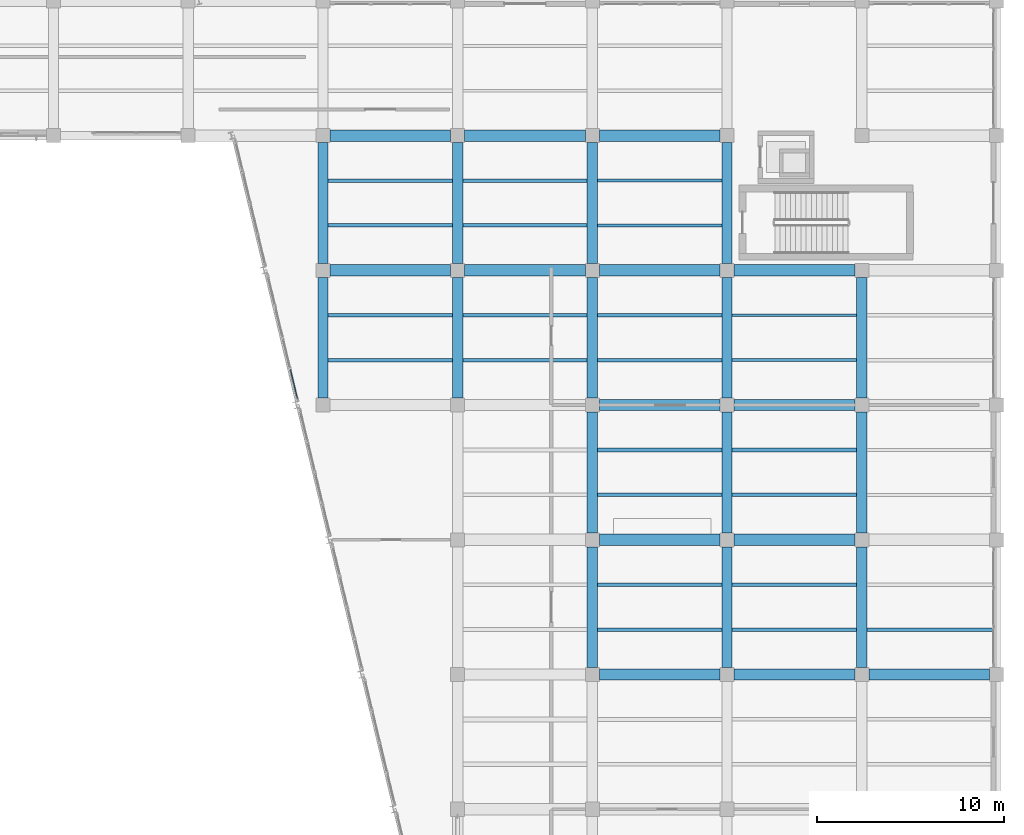
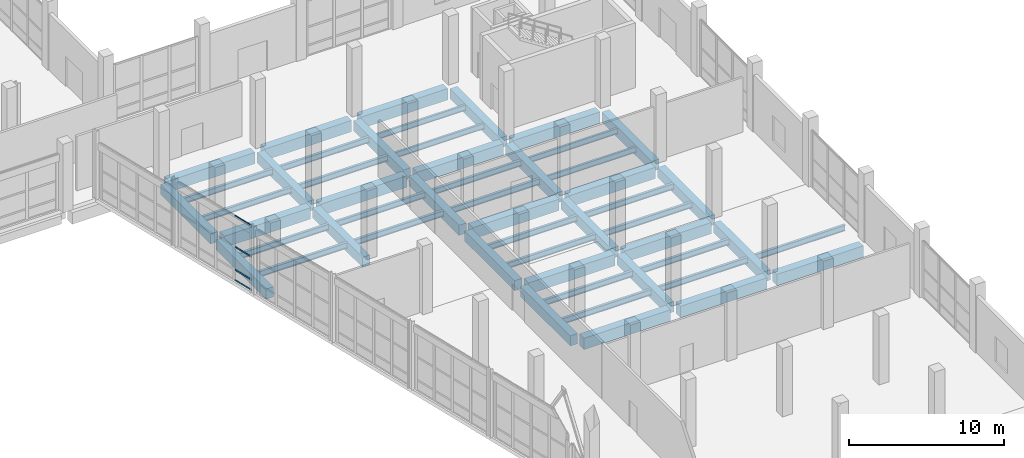
# One storey, part 77 of 137: 52 beams, 4 members, 1 element without a shape of its own.
"""IFC4 building model written with IfcOpenShell, lengths in metres."""

from ifc_helpers import new_model, si_unit, direction, frame, origin, origin_2d, place, context, subcontext, project, spatial, rectangle, hollow_rectangle, i_section, extrude, material, material_profile, profile_set, type_object, element, aggregate, save


model = new_model("IFC4")

# Units and contexts
model_context = context("Model", 3, precision=1e-05, world=origin(), true_north=direction((0.0, 1.0)))
body_context = subcontext(model_context, "Body", "Model", "MODEL_VIEW")
ifc_project = project(units=[si_unit("LENGTHUNIT", "METRE"), si_unit("AREAUNIT", "SQUARE_METRE"), si_unit("VOLUMEUNIT", "CUBIC_METRE"), si_unit("PLANEANGLEUNIT", "RADIAN"), si_unit("MASSUNIT", "GRAM", prefix="KILO")], contexts=[model_context])

# Site, building, storey
site_placement = place(None, origin())
site = spatial("IfcSite", under=ifc_project, at=site_placement, CompositionType="ELEMENT")
building_placement = place(site_placement, origin())
building = spatial("IfcBuilding", under=site, at=building_placement, Name="Kalmorath City Hall", CompositionType="ELEMENT")
storey_placement = place(building_placement, origin())
storey = spatial("IfcBuildingStorey", under=building, at=storey_placement, Name="L00", CompositionType="ELEMENT", Elevation=0.0)

# Beams
ifc_material_1 = material(Name="Concrete C40/50", Category="concrete")
ifc_material_profile_1 = material_profile(ifc_material_1, rectangle(XDim=0.550048828125, YDim=0.800048828125, at=origin_2d()), Name="RC-BM-550X800")
ifc_profile_set_1 = profile_set([ifc_material_profile_1], Name="Concrete C40/50")
beam_type_1 = type_object("IfcBeamType", Name="Concrete floor girder 550x800", PredefinedType="BEAM", material=ifc_profile_set_1)
beam_1_placement = place(storey_placement, frame((129.60009765625, 79.574951171875, -0.7041015625), z_axis=(0.0, 1.0, 0.0), x_axis=(-1.0, 0.0, 0.0)))
element("IfcBeam", 1, at=beam_1_placement, inside=storey, type_object=beam_type_1, Name="L00 girder CB2 Y19/12-13", PredefinedType="BEAM", context=body_context, shape_type="SweptSolid", body=[
    extrude(rectangle(XDim=0.550048828125, YDim=0.800048828125, at=origin_2d()), origin(), (0.0, 0.0, 1.0), 6.449951171875),
])
beam_2_placement = place(storey_placement, frame((129.60009765625, 86.77490234375, -0.7041015625), z_axis=(0.0, 1.0, 0.0), x_axis=(-1.0, 0.0, 0.0)))
element("IfcBeam", 2, at=beam_2_placement, inside=storey, type_object=beam_type_1, Name="L00 girder CB2 Y19/13-14", PredefinedType="BEAM", context=body_context, shape_type="SweptSolid", body=[
    extrude(rectangle(XDim=0.550048828125, YDim=0.800048828125, at=origin_2d()), origin(), (0.0, 0.0, 1.0), 6.4501953125),
])
beam_3_placement = place(storey_placement, frame((136.800048828125, 79.574951171875, -0.7041015625), z_axis=(0.0, 1.0, 0.0), x_axis=(-1.0, 0.0, 0.0)))
element("IfcBeam", 3, at=beam_3_placement, inside=storey, type_object=beam_type_1, Name="L00 girder CB2 Y20/12-13", PredefinedType="BEAM", context=body_context, shape_type="SweptSolid", body=[
    extrude(rectangle(XDim=0.550048828125, YDim=0.800048828125, at=origin_2d()), origin(), (0.0, 0.0, 1.0), 6.449951171875),
])
beam_4_placement = place(storey_placement, frame((136.800048828125, 86.77490234375, -0.7041015625), z_axis=(0.0, 1.0, 0.0), x_axis=(-1.0, 0.0, 0.0)))
element("IfcBeam", 4, at=beam_4_placement, inside=storey, type_object=beam_type_1, Name="L00 girder CB2 Y20/13-14", PredefinedType="BEAM", context=body_context, shape_type="SweptSolid", body=[
    extrude(rectangle(XDim=0.550048828125, YDim=0.800048828125, at=origin_2d()), origin(), (0.0, 0.0, 1.0), 6.4501953125),
])
for number, where, z_axis, x_axis, name in (
    (5, (144.0, 65.175048828125, -0.7041015625), (0.0, 1.0, 0.0), (-1.0, 0.0, 0.0), "L00 girder CB2 Y21/10-11"),
    (6, (144.0, 72.375, -0.7041015625), (0.0, 1.0, 0.0), (-1.0, 0.0, 0.0), "L00 girder CB2 Y21/11-12"),
    (7, (144.0, 79.574951171875, -0.7041015625), (0.0, 1.0, 0.0), (-1.0, 0.0, 0.0), "L00 girder CB2 Y21/12-13"),
):
    element("IfcBeam", number, at=place(storey_placement, frame(where, z_axis=z_axis, x_axis=x_axis)), inside=storey, type_object=beam_type_1, Name=name, PredefinedType="BEAM", context=body_context, shape_type="SweptSolid", body=[
        extrude(rectangle(XDim=0.550048828125, YDim=0.800048828125, at=origin_2d()), origin(), (0.0, 0.0, 1.0), 6.449951171875),
    ])
beam_5_placement = place(storey_placement, frame((144.0, 86.77490234375, -0.7041015625), z_axis=(0.0, 1.0, 0.0), x_axis=(-1.0, 0.0, 0.0)))
element("IfcBeam", 8, at=beam_5_placement, inside=storey, type_object=beam_type_1, Name="L00 girder CB2 Y21/13-14", PredefinedType="BEAM", context=body_context, shape_type="SweptSolid", body=[
    extrude(rectangle(XDim=0.550048828125, YDim=0.800048828125, at=origin_2d()), origin(), (0.0, 0.0, 1.0), 6.4501953125),
])
for number, where, z_axis, x_axis, name in (
    (9, (151.199951171875, 65.175048828125, -0.7041015625), (0.0, 1.0, 0.0), (-1.0, 0.0, 0.0), "L00 girder CB2 Y22/10-11"),
    (10, (151.199951171875, 72.375, -0.7041015625), (0.0, 1.0, 0.0), (-1.0, 0.0, 0.0), "L00 girder CB2 Y22/11-12"),
    (11, (151.199951171875, 79.574951171875, -0.7041015625), (0.0, 1.0, 0.0), (-1.0, 0.0, 0.0), "L00 girder CB2 Y22/12-13"),
):
    element("IfcBeam", number, at=place(storey_placement, frame(where, z_axis=z_axis, x_axis=x_axis)), inside=storey, type_object=beam_type_1, Name=name, PredefinedType="BEAM", context=body_context, shape_type="SweptSolid", body=[
        extrude(rectangle(XDim=0.550048828125, YDim=0.800048828125, at=origin_2d()), origin(), (0.0, 0.0, 1.0), 6.449951171875),
    ])
beam_6_placement = place(storey_placement, frame((151.199951171875, 86.77490234375, -0.7041015625), z_axis=(0.0, 1.0, 0.0), x_axis=(-1.0, 0.0, 0.0)))
element("IfcBeam", 12, at=beam_6_placement, inside=storey, type_object=beam_type_1, Name="L00 girder CB2 Y22/13-14", PredefinedType="BEAM", context=body_context, shape_type="SweptSolid", body=[
    extrude(rectangle(XDim=0.550048828125, YDim=0.800048828125, at=origin_2d()), origin(), (0.0, 0.0, 1.0), 6.4501953125),
])
for number, where, z_axis, x_axis, name in (
    (13, (158.39990234375, 65.175048828125, -0.7041015625), (0.0, 1.0, 0.0), (-1.0, 0.0, 0.0), "L00 girder CB2 Y23/10-11"),
    (14, (158.39990234375, 72.375, -0.7041015625), (0.0, 1.0, 0.0), (-1.0, 0.0, 0.0), "L00 girder CB2 Y23/11-12"),
    (15, (158.39990234375, 79.574951171875, -0.7041015625), (0.0, 1.0, 0.0), (-1.0, 0.0, 0.0), "L00 girder CB2 Y23/12-13"),
):
    element("IfcBeam", number, at=place(storey_placement, frame(where, z_axis=z_axis, x_axis=x_axis)), inside=storey, type_object=beam_type_1, Name=name, PredefinedType="BEAM", context=body_context, shape_type="SweptSolid", body=[
        extrude(rectangle(XDim=0.550048828125, YDim=0.800048828125, at=origin_2d()), origin(), (0.0, 0.0, 1.0), 6.449951171875),
    ])
ifc_material_2 = material(Name="Concrete C40/50", Category="concrete")
ifc_material_profile_2 = material_profile(ifc_material_2, rectangle(XDim=0.60009765625, YDim=0.89990234375, at=origin_2d()), Name="RC-BM-600X900")
ifc_profile_set_2 = profile_set([ifc_material_profile_2], Name="Concrete C40/50")
beam_type_2 = type_object("IfcBeamType", Name="Concrete floor girder 600x900", PredefinedType="BEAM", material=ifc_profile_set_2)
for number, where, z_axis, x_axis, name in (
    (16, (144.375, 64.800048828125, -0.75390625), (1.0, 0.0, 0.0), (0.0, 1.0, 0.0), "L00 girder CB1 X21-22/10"),
    (17, (151.574951171875, 64.800048828125, -0.75390625), (1.0, 0.0, 0.0), (0.0, 1.0, 0.0), "L00 girder CB1 X22-23/10"),
):
    element("IfcBeam", number, at=place(storey_placement, frame(where, z_axis=z_axis, x_axis=x_axis)), inside=storey, type_object=beam_type_2, Name=name, PredefinedType="BEAM", context=body_context, shape_type="SweptSolid", body=[
        extrude(rectangle(XDim=0.60009765625, YDim=0.89990234375, at=origin_2d()), origin(), (0.0, 0.0, 1.0), 6.449951171875),
    ])
beam_7_placement = place(storey_placement, frame((158.77490234375, 64.800048828125, -0.75390625), z_axis=(1.0, 0.0, 0.0), x_axis=(0.0, 1.0, 0.0)))
element("IfcBeam", 18, at=beam_7_placement, inside=storey, type_object=beam_type_2, Name="L00 girder CB1 X23-24/10", PredefinedType="BEAM", context=body_context, shape_type="SweptSolid", body=[
    extrude(rectangle(XDim=0.60009765625, YDim=0.89990234375, at=origin_2d()), origin(), (0.0, 0.0, 1.0), 6.4501953125),
])
for number, where, z_axis, x_axis, name in (
    (19, (144.375, 72.0, -0.75390625), (1.0, 0.0, 0.0), (0.0, 1.0, 0.0), "L00 girder CB1 X21-22/11"),
    (20, (151.574951171875, 72.0, -0.75390625), (1.0, 0.0, 0.0), (0.0, 1.0, 0.0), "L00 girder CB1 X22-23/11"),
    (21, (144.375, 79.199951171875, -0.75390625), (1.0, 0.0, 0.0), (0.0, 1.0, 0.0), "L00 girder CB1 X21-22/12"),
    (22, (151.574951171875, 79.199951171875, -0.75390625), (1.0, 0.0, 0.0), (0.0, 1.0, 0.0), "L00 girder CB1 X22-23/12"),
    (23, (129.97509765625, 86.39990234375, -0.75390625), (1.0, 0.0, 0.0), (0.0, 1.0, 0.0), "L00 girder CB1 X19-20/13"),
    (24, (137.175048828125, 86.39990234375, -0.75390625), (1.0, 0.0, 0.0), (0.0, 1.0, 0.0), "L00 girder CB1 X20-21/13"),
    (25, (144.375, 86.39990234375, -0.75390625), (1.0, 0.0, 0.0), (0.0, 1.0, 0.0), "L00 girder CB1 X21-22/13"),
    (26, (151.574951171875, 86.39990234375, -0.75390625), (1.0, 0.0, 0.0), (0.0, 1.0, 0.0), "L00 girder CB1 X22-23/13"),
    (27, (129.97509765625, 93.60009765625, -0.75390625), (1.0, 0.0, 0.0), (0.0, 1.0, 0.0), "L00 girder CB1 X19-20/14"),
    (28, (137.175048828125, 93.60009765625, -0.75390625), (1.0, 0.0, 0.0), (0.0, 1.0, 0.0), "L00 girder CB1 X20-21/14"),
    (29, (144.375, 93.60009765625, -0.75390625), (1.0, 0.0, 0.0), (0.0, 1.0, 0.0), "L00 girder CB1 X21-22/14"),
):
    element("IfcBeam", number, at=place(storey_placement, frame(where, z_axis=z_axis, x_axis=x_axis)), inside=storey, type_object=beam_type_2, Name=name, PredefinedType="BEAM", context=body_context, shape_type="SweptSolid", body=[
        extrude(rectangle(XDim=0.60009765625, YDim=0.89990234375, at=origin_2d()), origin(), (0.0, 0.0, 1.0), 6.449951171875),
    ])

# Curtain wall, members
ifc_material_3 = material(Name="Anodised aluminium and laminated glass", Category="aluminium")
curtain_wall_type = type_object("IfcCurtainWallType", Name="Unitised hurricane curtain wall 6849x5120 M1850", PredefinedType="NOTDEFINED", material=ifc_material_3)
curtain_wall_placement = place(storey_placement, origin())
curtain_wall = element("IfcCurtainWall", 30, at=curtain_wall_placement, inside=storey, type_object=curtain_wall_type, Name="L00 curtain wall CW-68X51M18 #46", PredefinedType="NOTDEFINED")
ifc_material_4 = material(Name="Anodised aluminium framing", Category="aluminium")
ifc_material_profile_3 = material_profile(ifc_material_4, hollow_rectangle(XDim=0.06005859375, YDim=0.1298828125, WallThickness=0.00341796875, InnerFilletRadius=0.00341796875, OuterFilletRadius=0.007080078125, at=origin_2d()), Name="ALU-TRN-130X60X3.5")
ifc_profile_set_3 = profile_set([ifc_material_profile_3], Name="Anodised aluminium framing")
member_type = type_object("IfcMemberType", Name="Curtain-wall courtyard transom 130x60", PredefinedType="USERDEFINED", material=ifc_profile_set_3)
member_1_placement = place(storey_placement, frame((128.239013671875, 79.54296875, 0.030029296875), z_axis=(-0.233332550128, 0.972396997656, 0.0), x_axis=(-0.972396997656, -0.233332550128, 0.0)))
member_1 = element("IfcMember", 31, at=member_1_placement, type_object=member_type, Name="CW-68X51M18 transom 1.1", ObjectType="TRANSOM", PredefinedType="USERDEFINED", context=body_context, shape_type="SweptSolid", body=[
    extrude(hollow_rectangle(XDim=0.06005859375, YDim=0.1298828125, WallThickness=0.00341796875, InnerFilletRadius=0.00341796875, OuterFilletRadius=0.007080078125, at=origin_2d()), origin(), (0.0, 0.0, 1.0), 1.599853515625),
])
member_2_placement = place(storey_placement, frame((128.239013671875, 79.54296875, 0.85009765625), z_axis=(-0.233332550128, 0.972396997656, 0.0), x_axis=(-0.972396997656, -0.233332550128, 0.0)))
member_2 = element("IfcMember", 32, at=member_2_placement, type_object=member_type, Name="CW-68X51M18 transom 1.2", ObjectType="TRANSOM", PredefinedType="USERDEFINED", context=body_context, shape_type="SweptSolid", body=[
    extrude(hollow_rectangle(XDim=0.06005859375, YDim=0.1298828125, WallThickness=0.00341796875, InnerFilletRadius=0.00341796875, OuterFilletRadius=0.007080078125, at=origin_2d()), origin(), (0.0, 0.0, 1.0), 1.599853515625),
])
member_3_placement = place(storey_placement, frame((128.239013671875, 79.54296875, 2.662109375), z_axis=(-0.233332550128, 0.972396997656, 0.0), x_axis=(-0.972396997656, -0.233332550128, 0.0)))
member_3 = element("IfcMember", 33, at=member_3_placement, type_object=member_type, Name="CW-68X51M18 transom 1.3", ObjectType="TRANSOM", PredefinedType="USERDEFINED", context=body_context, shape_type="SweptSolid", body=[
    extrude(hollow_rectangle(XDim=0.06005859375, YDim=0.1298828125, WallThickness=0.00341796875, InnerFilletRadius=0.00341796875, OuterFilletRadius=0.007080078125, at=origin_2d()), origin(), (0.0, 0.0, 1.0), 1.599853515625),
])
member_4_placement = place(storey_placement, frame((128.239013671875, 79.54296875, 5.090087890625), z_axis=(-0.233332550128, 0.972396997656, 0.0), x_axis=(-0.972396997656, -0.233332550128, 0.0)))
member_4 = element("IfcMember", 34, at=member_4_placement, type_object=member_type, Name="CW-68X51M18 transom 1.4", ObjectType="TRANSOM", PredefinedType="USERDEFINED", context=body_context, shape_type="SweptSolid", body=[
    extrude(hollow_rectangle(XDim=0.06005859375, YDim=0.1298828125, WallThickness=0.00341796875, InnerFilletRadius=0.00341796875, OuterFilletRadius=0.007080078125, at=origin_2d()), origin(), (0.0, 0.0, 1.0), 1.599853515625),
])
aggregate(curtain_wall, [member_1, member_2, member_3, member_4])

# Beams
ifc_material_5 = material(Name="Steel ASTM A992 Grade 50", Category="steel")
ifc_material_profile_4 = material_profile(ifc_material_5, i_section(OverallWidth=0.153076171875, OverallDepth=0.455078125, WebThickness=0.008056640625, FlangeThickness=0.01318359375, FilletRadius=0.013916015625, at=origin_2d()), Name="W18X40")
ifc_profile_set_4 = profile_set([ifc_material_profile_4], Name="Steel ASTM A992 Grade 50")
beam_type_3 = type_object("IfcBeamType", Name="Steel composite joist W18X40", PredefinedType="JOIST", material=ifc_profile_set_4)
for number, where, z_axis, x_axis, name in (
    (35, (144.27490234375, 88.800048828125, -0.531494140625), (1.0, 0.0, 0.0), (0.0, 1.0, 0.0), "L00 joist SJ4 21.13.1"),
    (36, (144.27490234375, 91.199951171875, -0.531494140625), (1.0, 0.0, 0.0), (0.0, 1.0, 0.0), "L00 joist SJ4 21.13.2"),
):
    element("IfcBeam", number, at=place(storey_placement, frame(where, z_axis=z_axis, x_axis=x_axis)), inside=storey, type_object=beam_type_3, Name=name, PredefinedType="JOIST", context=body_context, shape_type="SweptSolid", body=[
        extrude(i_section(OverallWidth=0.153076171875, OverallDepth=0.455078125, WebThickness=0.008056640625, FlangeThickness=0.01318359375, FilletRadius=0.013916015625, at=origin_2d()), origin(), (0.0, 0.0, 1.0), 6.650146484375),
    ])
for number, where, z_axis, x_axis, name in (
    (37, (151.47509765625, 81.60009765625, -0.531494140625), (1.0, 0.0, 0.0), (0.0, 1.0, 0.0), "L00 joist SJ4 22.12.1"),
    (38, (151.47509765625, 84.0, -0.531494140625), (1.0, 0.0, 0.0), (0.0, 1.0, 0.0), "L00 joist SJ4 22.12.2"),
):
    element("IfcBeam", number, at=place(storey_placement, frame(where, z_axis=z_axis, x_axis=x_axis)), inside=storey, type_object=beam_type_3, Name=name, PredefinedType="JOIST", context=body_context, shape_type="SweptSolid", body=[
        extrude(i_section(OverallWidth=0.153076171875, OverallDepth=0.455078125, WebThickness=0.008056640625, FlangeThickness=0.01318359375, FilletRadius=0.013916015625, at=origin_2d()), origin(), (0.0, 0.0, 1.0), 6.64990234375),
    ])
ifc_material_6 = material(Name="Steel ASTM A992 Grade 50", Category="steel")
ifc_material_profile_5 = material_profile(ifc_material_6, i_section(OverallWidth=0.19091796875, OverallDepth=0.45703125, WebThickness=0.009033203125, FlangeThickness=0.014404296875, FilletRadius=0.013916015625, at=origin_2d()), Name="W18X50")
ifc_profile_set_5 = profile_set([ifc_material_profile_5], Name="Steel ASTM A992 Grade 50")
beam_type_4 = type_object("IfcBeamType", Name="Steel composite joist W18X50", PredefinedType="JOIST", material=ifc_profile_set_5)
for number, where, z_axis, x_axis, name in (
    (39, (137.074951171875, 88.800048828125, -0.532470703125), (1.0, 0.0, 0.0), (0.0, 1.0, 0.0), "L00 joist SJ3 20.13.1"),
    (40, (137.074951171875, 91.199951171875, -0.532470703125), (1.0, 0.0, 0.0), (0.0, 1.0, 0.0), "L00 joist SJ3 20.13.2"),
    (41, (144.27490234375, 81.60009765625, -0.532470703125), (1.0, 0.0, 0.0), (0.0, 1.0, 0.0), "L00 joist SJ3 21.12.1"),
    (42, (144.27490234375, 84.0, -0.532470703125), (1.0, 0.0, 0.0), (0.0, 1.0, 0.0), "L00 joist SJ3 21.12.2"),
):
    element("IfcBeam", number, at=place(storey_placement, frame(where, z_axis=z_axis, x_axis=x_axis)), inside=storey, type_object=beam_type_4, Name=name, PredefinedType="JOIST", context=body_context, shape_type="SweptSolid", body=[
        extrude(i_section(OverallWidth=0.19091796875, OverallDepth=0.45703125, WebThickness=0.009033203125, FlangeThickness=0.014404296875, FilletRadius=0.013916015625, at=origin_2d()), origin(), (0.0, 0.0, 1.0), 6.650146484375),
    ])
for number, where, z_axis, x_axis, name in (
    (43, (151.47509765625, 74.39990234375, -0.532470703125), (1.0, 0.0, 0.0), (0.0, 1.0, 0.0), "L00 joist SJ3 22.11.1"),
    (44, (151.47509765625, 76.800048828125, -0.532470703125), (1.0, 0.0, 0.0), (0.0, 1.0, 0.0), "L00 joist SJ3 22.11.2"),
):
    element("IfcBeam", number, at=place(storey_placement, frame(where, z_axis=z_axis, x_axis=x_axis)), inside=storey, type_object=beam_type_4, Name=name, PredefinedType="JOIST", context=body_context, shape_type="SweptSolid", body=[
        extrude(i_section(OverallWidth=0.19091796875, OverallDepth=0.45703125, WebThickness=0.009033203125, FlangeThickness=0.014404296875, FilletRadius=0.013916015625, at=origin_2d()), origin(), (0.0, 0.0, 1.0), 6.64990234375),
    ])
beam_8_placement = place(storey_placement, frame((158.675048828125, 67.199951171875, -0.532470703125), z_axis=(1.0, 0.0, 0.0), x_axis=(0.0, 1.0, 0.0)))
element("IfcBeam", 45, at=beam_8_placement, inside=storey, type_object=beam_type_4, Name="L00 joist SJ3 23.10.1", PredefinedType="JOIST", context=body_context, shape_type="SweptSolid", body=[
    extrude(i_section(OverallWidth=0.19091796875, OverallDepth=0.45703125, WebThickness=0.009033203125, FlangeThickness=0.014404296875, FilletRadius=0.013916015625, at=origin_2d()), origin(), (0.0, 0.0, 1.0), 6.724853515625),
])
ifc_material_7 = material(Name="Steel ASTM A992 Grade 50", Category="steel")
ifc_material_profile_6 = material_profile(ifc_material_7, i_section(OverallWidth=0.19091796875, OverallDepth=0.4599609375, WebThickness=0.010009765625, FlangeThickness=0.01611328125, FilletRadius=0.013916015625, at=origin_2d()), Name="W18X55")
ifc_profile_set_6 = profile_set([ifc_material_profile_6], Name="Steel ASTM A992 Grade 50")
beam_type_5 = type_object("IfcBeamType", Name="Steel composite joist W18X55", PredefinedType="JOIST", material=ifc_profile_set_6)
for number, where, z_axis, x_axis, name in (
    (46, (129.875, 88.800048828125, -0.533935546875), (1.0, 0.0, 0.0), (0.0, 1.0, 0.0), "L00 joist SJ2 19.13.1"),
    (47, (129.875, 91.199951171875, -0.533935546875), (1.0, 0.0, 0.0), (0.0, 1.0, 0.0), "L00 joist SJ2 19.13.2"),
):
    element("IfcBeam", number, at=place(storey_placement, frame(where, z_axis=z_axis, x_axis=x_axis)), inside=storey, type_object=beam_type_5, Name=name, PredefinedType="JOIST", context=body_context, shape_type="SweptSolid", body=[
        extrude(i_section(OverallWidth=0.19091796875, OverallDepth=0.4599609375, WebThickness=0.010009765625, FlangeThickness=0.01611328125, FilletRadius=0.013916015625, at=origin_2d()), origin(), (0.0, 0.0, 1.0), 6.64990234375),
    ])
for number, where, z_axis, x_axis, name in (
    (48, (137.074951171875, 81.60009765625, -0.533935546875), (1.0, 0.0, 0.0), (0.0, 1.0, 0.0), "L00 joist SJ2 20.12.1"),
    (49, (137.074951171875, 84.0, -0.533935546875), (1.0, 0.0, 0.0), (0.0, 1.0, 0.0), "L00 joist SJ2 20.12.2"),
    (50, (144.27490234375, 74.39990234375, -0.533935546875), (1.0, 0.0, 0.0), (0.0, 1.0, 0.0), "L00 joist SJ2 21.11.1"),
    (51, (144.27490234375, 76.800048828125, -0.533935546875), (1.0, 0.0, 0.0), (0.0, 1.0, 0.0), "L00 joist SJ2 21.11.2"),
):
    element("IfcBeam", number, at=place(storey_placement, frame(where, z_axis=z_axis, x_axis=x_axis)), inside=storey, type_object=beam_type_5, Name=name, PredefinedType="JOIST", context=body_context, shape_type="SweptSolid", body=[
        extrude(i_section(OverallWidth=0.19091796875, OverallDepth=0.4599609375, WebThickness=0.010009765625, FlangeThickness=0.01611328125, FilletRadius=0.013916015625, at=origin_2d()), origin(), (0.0, 0.0, 1.0), 6.650146484375),
    ])
for number, where, z_axis, x_axis, name in (
    (52, (151.47509765625, 67.199951171875, -0.533935546875), (1.0, 0.0, 0.0), (0.0, 1.0, 0.0), "L00 joist SJ2 22.10.1"),
    (53, (151.47509765625, 69.60009765625, -0.533935546875), (1.0, 0.0, 0.0), (0.0, 1.0, 0.0), "L00 joist SJ2 22.10.2"),
):
    element("IfcBeam", number, at=place(storey_placement, frame(where, z_axis=z_axis, x_axis=x_axis)), inside=storey, type_object=beam_type_5, Name=name, PredefinedType="JOIST", context=body_context, shape_type="SweptSolid", body=[
        extrude(i_section(OverallWidth=0.19091796875, OverallDepth=0.4599609375, WebThickness=0.010009765625, FlangeThickness=0.01611328125, FilletRadius=0.013916015625, at=origin_2d()), origin(), (0.0, 0.0, 1.0), 6.64990234375),
    ])
ifc_material_8 = material(Name="Steel ASTM A992 Grade 50", Category="steel")
ifc_material_profile_7 = material_profile(ifc_material_8, i_section(OverallWidth=0.193115234375, OverallDepth=0.466064453125, WebThickness=0.011474609375, FlangeThickness=0.01904296875, FilletRadius=0.013916015625, at=origin_2d()), Name="W18X65")
ifc_profile_set_7 = profile_set([ifc_material_profile_7], Name="Steel ASTM A992 Grade 50")
beam_type_6 = type_object("IfcBeamType", Name="Steel composite joist W18X65", PredefinedType="JOIST", material=ifc_profile_set_7)
for number, where, z_axis, x_axis, name in (
    (54, (129.875, 81.60009765625, -0.537109375), (1.0, 0.0, 0.0), (0.0, 1.0, 0.0), "L00 joist SJ1 19.12.1"),
    (55, (129.875, 84.0, -0.537109375), (1.0, 0.0, 0.0), (0.0, 1.0, 0.0), "L00 joist SJ1 19.12.2"),
):
    element("IfcBeam", number, at=place(storey_placement, frame(where, z_axis=z_axis, x_axis=x_axis)), inside=storey, type_object=beam_type_6, Name=name, PredefinedType="JOIST", context=body_context, shape_type="SweptSolid", body=[
        extrude(i_section(OverallWidth=0.193115234375, OverallDepth=0.466064453125, WebThickness=0.011474609375, FlangeThickness=0.01904296875, FilletRadius=0.013916015625, at=origin_2d()), origin(), (0.0, 0.0, 1.0), 6.64990234375),
    ])
for number, where, z_axis, x_axis, name in (
    (56, (144.27490234375, 67.199951171875, -0.537109375), (1.0, 0.0, 0.0), (0.0, 1.0, 0.0), "L00 joist SJ1 21.10.1"),
    (57, (144.27490234375, 69.60009765625, -0.537109375), (1.0, 0.0, 0.0), (0.0, 1.0, 0.0), "L00 joist SJ1 21.10.2"),
):
    element("IfcBeam", number, at=place(storey_placement, frame(where, z_axis=z_axis, x_axis=x_axis)), inside=storey, type_object=beam_type_6, Name=name, PredefinedType="JOIST", context=body_context, shape_type="SweptSolid", body=[
        extrude(i_section(OverallWidth=0.193115234375, OverallDepth=0.466064453125, WebThickness=0.011474609375, FlangeThickness=0.01904296875, FilletRadius=0.013916015625, at=origin_2d()), origin(), (0.0, 0.0, 1.0), 6.650146484375),
    ])

save(model, "model.ifc")
